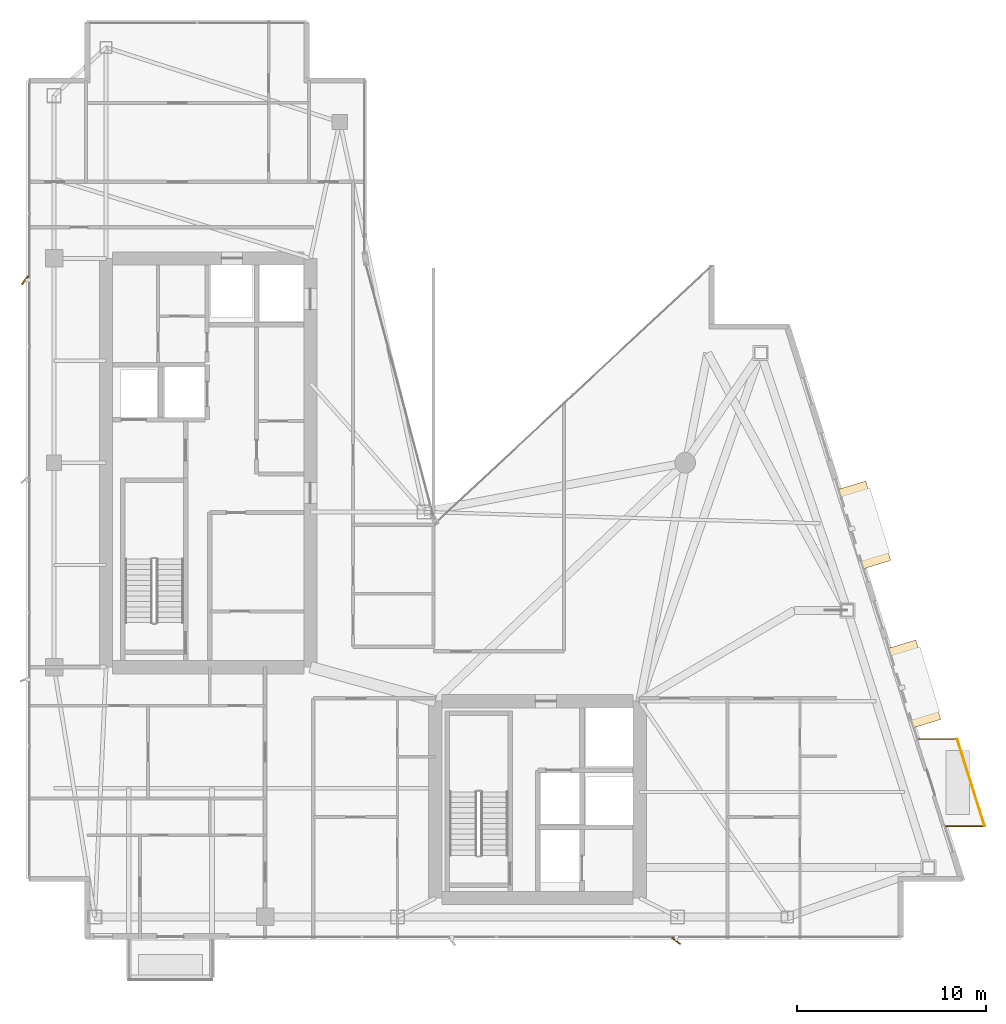
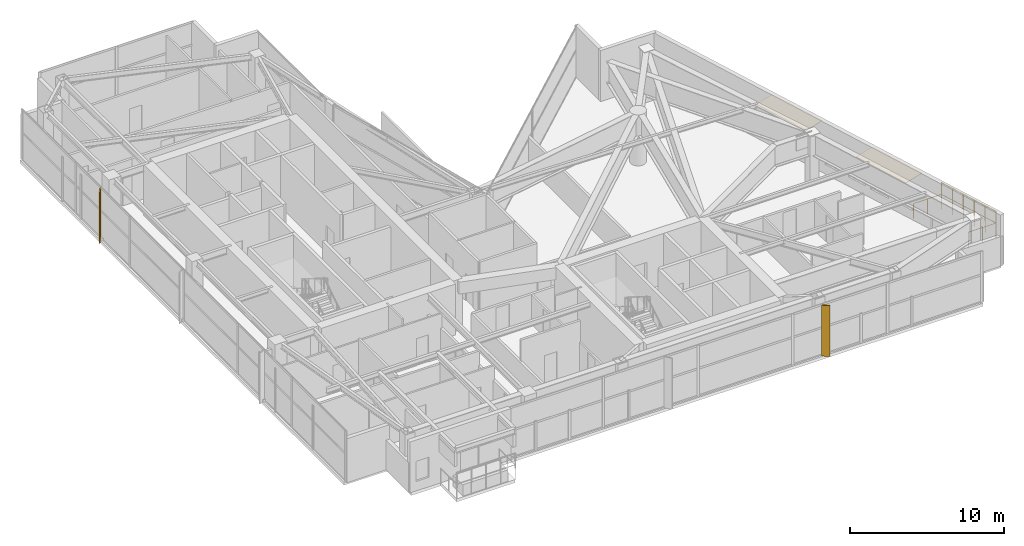
# One storey, part 27 of 27: 2 coverings, 2 railings, 2 shading devices.
"""IFC4 building model written with IfcOpenShell, lengths in metres."""

from ifc_helpers import new_model, si_unit, direction, frame, origin, origin_2d, place, context, subcontext, project, spatial, polyline, rectangle, circle, outline, extrude, material, layer, layer_set, type_object, element, save


model = new_model("IFC4")

# Units and contexts
model_context = context("Model", 3, precision=1e-05, world=origin(), true_north=direction((0.0, 1.0)))
body_context = subcontext(model_context, "Body", "Model", "MODEL_VIEW")
ifc_project = project(units=[si_unit("LENGTHUNIT", "METRE"), si_unit("AREAUNIT", "SQUARE_METRE"), si_unit("VOLUMEUNIT", "CUBIC_METRE"), si_unit("PLANEANGLEUNIT", "RADIAN"), si_unit("MASSUNIT", "GRAM", prefix="KILO")], contexts=[model_context])

# Site, building, storey
site_placement = place(None, origin())
site = spatial("IfcSite", under=ifc_project, at=site_placement, CompositionType="ELEMENT")
building_placement = place(site_placement, origin())
building = spatial("IfcBuilding", under=site, at=building_placement, Name="Calvorn Quay Hotel", CompositionType="ELEMENT")
storey_placement = place(building_placement, frame((0.0, 0.0, 239.300048828125)))
storey = spatial("IfcBuildingStorey", under=building, at=storey_placement, Name="L59", CompositionType="ELEMENT", Elevation=239.300048828125)

# Coverings
ifc_material_1 = material(Name="Pale Anodised Aluminium Rainscreen Cladding", Category="aluminium")
ifc_layer = layer(ifc_material_1, 0.044921875)
ifc_layer_set = layer_set([ifc_layer], Name="COV-CROWN-CLAD")
covering_type = type_object("IfcCoveringType", Name="COV-CROWN-CLAD", PredefinedType="CLADDING", material=ifc_layer_set)
covering_1_placement = place(storey_placement, frame((0.0, 0.0, 2.5048828125)))
element("IfcCovering", 1, at=covering_1_placement, inside=storey, type_object=covering_type, Name="Angled Bay Hood Canopy L59-HOOD-2", PredefinedType="CLADDING", context=body_context, shape_type="SweptSolid", body=[
    extrude(outline(polyline([(45.51806640625, 17.7880859375), (46.990966796875, 18.235107421875), (48.31396484375, 14.034912109375), (46.841064453125, 13.587890625), (45.51806640625, 17.7880859375)])), origin(), (0.0, 0.0, 1.0), 0.045166015625),
])
covering_2_placement = place(storey_placement, frame((0.0, 0.0, 2.5048828125)))
element("IfcCovering", 2, at=covering_2_placement, inside=storey, type_object=covering_type, Name="Angled Bay Hood Canopy L59-HOOD-3", PredefinedType="CLADDING", context=body_context, shape_type="SweptSolid", body=[
    extrude(outline(polyline([(42.8720703125, 26.18798828125), (44.344970703125, 26.635009765625), (45.66796875, 22.43505859375), (44.195068359375, 21.988037109375), (42.8720703125, 26.18798828125)])), origin(), (0.0, 0.0, 1.0), 0.045166015625),
])

# Railings
ifc_material_2 = material(Name="Pale Anodised Aluminium and Laminated Glass", Category="aluminium")
railing_type = type_object("IfcRailingType", Name="RLG-BALUSTRADE-1200", PredefinedType="BALUSTRADE", material=ifc_material_2)
railing_1_placement = place(storey_placement, frame((48.528076171875, 8.39990234375, 0.0)))
element("IfcRailing", 3, at=railing_1_placement, inside=storey, type_object=railing_type, Name="Tree Balcony Perimeter Balustrade L59-BALC-E", PredefinedType="BALUSTRADE", context=body_context, shape_type="SweptSolid", body=[
    extrude(circle(Radius=0.02392578125, at=origin_2d()), frame((0.0, 0.0, 1.17578125), z_axis=(1.0, 0.0, 0.0), x_axis=(0.0, 1.0, 0.0)), (0.0, 0.0, 1.0), 2.099853515625),
    extrude(circle(Radius=0.02392578125, at=origin_2d()), frame((2.099853515625, 0.0, 1.17578125), z_axis=(-0.300620172346, 0.953743944662, 0.0), x_axis=(-0.953743944662, -0.300620172346, 0.0)), (0.0, 0.0, 1.0), 4.8232421875),
    extrude(circle(Radius=0.02392578125, at=origin_2d()), frame((0.64990234375, 4.60009765625, 1.17578125), z_axis=(-1.0, 0.0, 0.0), x_axis=(0.0, -1.0, 0.0)), (0.0, 0.0, 1.0), 2.10009765625),
    extrude(circle(Radius=0.02099609375, at=origin_2d()), origin(), (0.0, 0.0, 1.0), 1.15185546875),
    extrude(circle(Radius=0.02099609375, at=origin_2d()), frame((1.0498046875, 0.0, 0.0)), (0.0, 0.0, 1.0), 1.15185546875),
    extrude(circle(Radius=0.02099609375, at=origin_2d()), frame((2.099853515625, 0.0, 0.0)), (0.0, 0.0, 1.0), 1.15185546875),
    extrude(circle(Radius=0.02099609375, at=origin_2d()), frame((1.809814453125, 0.919921875, 0.0)), (0.0, 0.0, 1.0), 1.15185546875),
    extrude(circle(Radius=0.02099609375, at=origin_2d()), frame((1.519775390625, 1.840087890625, 0.0)), (0.0, 0.0, 1.0), 1.15185546875),
    extrude(circle(Radius=0.02099609375, at=origin_2d()), frame((1.22998046875, 2.760009765625, 0.0)), (0.0, 0.0, 1.0), 1.15185546875),
    extrude(circle(Radius=0.02099609375, at=origin_2d()), frame((0.93994140625, 3.68017578125, 0.0)), (0.0, 0.0, 1.0), 1.15185546875),
    extrude(circle(Radius=0.02099609375, at=origin_2d()), frame((0.64990234375, 4.60009765625, 0.0)), (0.0, 0.0, 1.0), 1.15185546875),
    extrude(circle(Radius=0.02099609375, at=origin_2d()), frame((-0.400146484375, 4.60009765625, 0.0)), (0.0, 0.0, 1.0), 1.15185546875),
    extrude(circle(Radius=0.02099609375, at=origin_2d()), frame((-1.4501953125, 4.60009765625, 0.0)), (0.0, 0.0, 1.0), 1.15185546875),
])
railing_2_placement = place(storey_placement, frame((50.6279296875, 8.39990234375, 0.89990234375)))
element("IfcRailing", 4, at=railing_2_placement, inside=storey, type_object=railing_type, Name="Planter Kerb High Safety Screen L59-BALC-E", PredefinedType="BALUSTRADE", context=body_context, shape_type="SweptSolid", body=[
    extrude(circle(Radius=0.02392578125, at=origin_2d()), frame((0.0, 0.0, 1.19580078125), z_axis=(-0.300620172346, 0.953743944662, 0.0), x_axis=(-0.953743944662, -0.300620172346, 0.0)), (0.0, 0.0, 1.0), 4.8232421875),
    extrude(circle(Radius=0.02099609375, at=origin_2d()), origin(), (0.0, 0.0, 1.0), 1.171875),
    extrude(circle(Radius=0.02099609375, at=origin_2d()), frame((-0.2900390625, 0.919921875, 0.0)), (0.0, 0.0, 1.0), 1.171875),
    extrude(circle(Radius=0.02099609375, at=origin_2d()), frame((-0.580078125, 1.840087890625, 0.0)), (0.0, 0.0, 1.0), 1.171875),
    extrude(circle(Radius=0.02099609375, at=origin_2d()), frame((-0.869873046875, 2.760009765625, 0.0)), (0.0, 0.0, 1.0), 1.171875),
    extrude(circle(Radius=0.02099609375, at=origin_2d()), frame((-1.159912109375, 3.68017578125, 0.0)), (0.0, 0.0, 1.0), 1.171875),
    extrude(circle(Radius=0.02099609375, at=origin_2d()), frame((-1.449951171875, 4.60009765625, 0.0)), (0.0, 0.0, 1.0), 1.171875),
])

# Shading devices
ifc_material_3 = material(Name="Champagne Bronze Anodised Aluminium 6063-T6", Category="aluminium")
shading_device_type = type_object("IfcShadingDeviceType", Name="SHD-FIN-A3", PredefinedType="USERDEFINED", material=ifc_material_3)
for number, where, z_axis, x_axis, name in (
    (5, (-0.080078125, 37.25, 0.0), (0.0, 0.0, 1.0), (0.587785252292, 0.809016994375, 0.0), "Diagonal Sun-Shading Fin L59-W03"),
    (6, (34.3330078125, 2.320068359375, 0.0), (0.0, 0.0, 1.0), (-0.809016994375, 0.587785252292, 0.0), "Diagonal Sun-Shading Fin L59-S02"),
):
    element("IfcShadingDevice", number, at=place(storey_placement, frame(where, z_axis=z_axis, x_axis=x_axis)), inside=storey, type_object=shading_device_type, Name=name, ObjectType="FIN", PredefinedType="USERDEFINED", context=body_context, shape_type="SweptSolid", body=[
        extrude(rectangle(XDim=0.550048828125, YDim=0.080078125, at=origin_2d()), origin(), (0.0, 0.0, 1.0), 4.050048828125),
    ])

save(model, "model.ifc")
